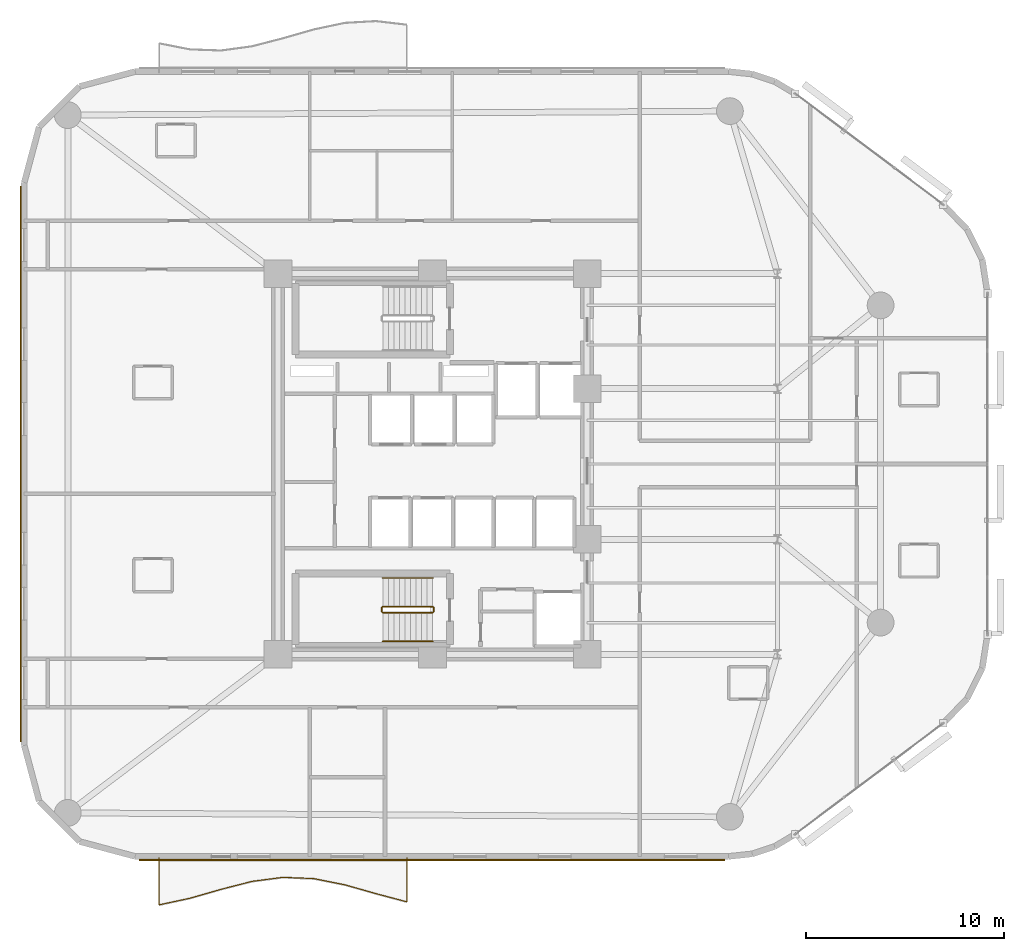
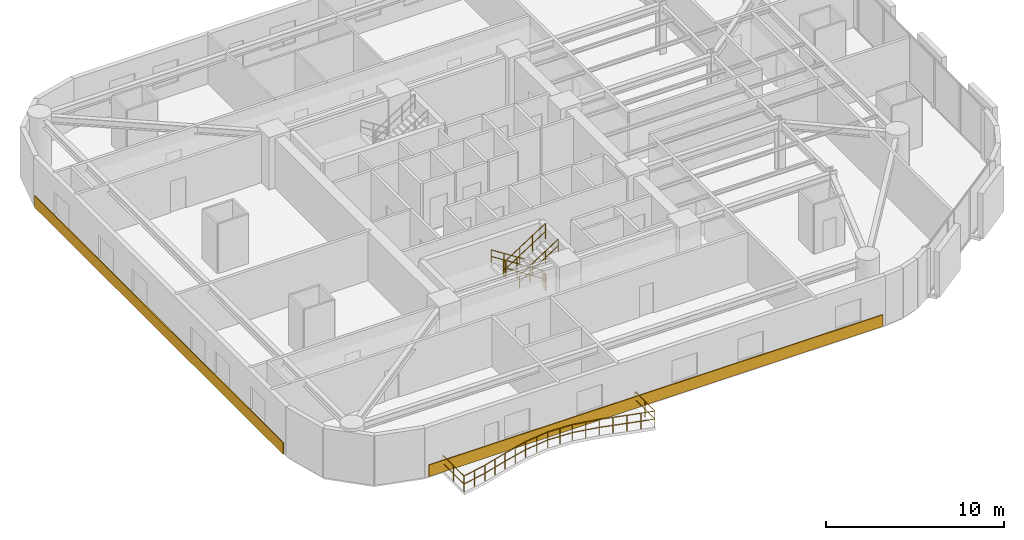
# One storey, part 14 of 16: 7 railings, 2 coverings.
"""IFC4 building model written with IfcOpenShell, lengths in metres."""

import ifcopenshell
import ifcopenshell.guid

model = None  # the IFC model being written
_history = None  # IfcOwnerHistory: only IFC2X3 demands one
_inside = {}  # id of a spatial element -> (the spatial element, [elements in it])
_under = {}  # id of a project, library or spatial element -> (it, [spatial elements below it])
_declared = {}  # id of a project -> (the project, [libraries it declares])
_typed = {}  # id of a type object -> (the type object, [elements of that type])
_made_of = {}  # id of a material, layer set ... -> (it, [elements and type objects made of it])


def new_model(schema):
    """Start an empty IFC model of exactly this schema.

    Asked for "IFC4X3", IfcOpenShell would pick the latest addendum, in which some entities
    have other attributes; the version numbers below select the first issue.
    IFC2X3 requires an IfcOwnerHistory on every rooted entity: one is made here for all.
    """
    global model, _history
    if schema == "IFC4X3":
        model = ifcopenshell.file(schema_version=(4, 3, 0, 0))
    else:
        model = ifcopenshell.file(schema=schema)
    _inside.clear()
    _under.clear()
    _declared.clear()
    _typed.clear()
    _made_of.clear()
    _history = None
    if model.schema == "IFC2X3":
        org = make("IfcOrganization", Name="unknown")
        user = make(
            "IfcPersonAndOrganization",
            ThePerson=make("IfcPerson", FamilyName="unknown"),
            TheOrganization=org,
        )
        app = make(
            "IfcApplication",
            ApplicationDeveloper=org,
            Version="unknown",
            ApplicationFullName="unknown",
            ApplicationIdentifier="unknown",
        )
        _history = make(
            "IfcOwnerHistory",
            OwningUser=user,
            OwningApplication=app,
            ChangeAction="ADDED",
            CreationDate=0,
        )
    return model


def make(cls, **values):
    """One entity of the class cls with the attributes given. An attribute that is None is left unset."""
    return model.create_entity(
        cls, **{name: value for name, value in values.items() if value is not None}
    )


def rooted(cls, **values):
    """An entity with a GlobalId (a new one), such as an element, a storey or a relation."""
    return make(cls, GlobalId=ifcopenshell.guid.new(), OwnerHistory=_history, **values)


def si_unit(unit_type, name, prefix=None):
    """IfcSIUnit, for example si_unit("LENGTHUNIT", "METRE", prefix="MILLI")."""
    return make("IfcSIUnit", UnitType=unit_type, Prefix=prefix, Name=name)


def assignment(units):
    """IfcUnitAssignment: the units of a project."""
    return None if units is None else make("IfcUnitAssignment", Units=units)


def point(xyz):
    """IfcCartesianPoint."""
    return None if xyz is None else make("IfcCartesianPoint", Coordinates=xyz)


def direction(xyz):
    """IfcDirection."""
    return None if xyz is None else make("IfcDirection", DirectionRatios=xyz)


def frame(location, z_axis=None, x_axis=None):
    """IfcAxis2Placement3D, a coordinate frame: its origin and axes. An axis left out is left unset."""
    return make(
        "IfcAxis2Placement3D",
        Location=point(location),
        Axis=direction(z_axis),
        RefDirection=direction(x_axis),
    )


def frame_2d(location, x_axis=None):
    """IfcAxis2Placement2D, a coordinate frame in the plane: its origin and x axis."""
    return make(
        "IfcAxis2Placement2D", Location=point(location), RefDirection=direction(x_axis)
    )


def origin():
    """The frame at (0, 0, 0) with its axes left unset."""
    return frame((0.0, 0.0, 0.0))


def origin_2d():
    """The frame at (0, 0) in the plane with its x axis left unset."""
    return frame_2d((0.0, 0.0))


def place(relative_to, where):
    """IfcLocalPlacement: puts the frame where relative to a parent placement (None: the world)."""
    return make(
        "IfcLocalPlacement", PlacementRelTo=relative_to, RelativePlacement=where
    )


def context(
    kind, dimensions, precision=None, world=None, true_north=None, identifier=None
):
    """IfcGeometricRepresentationContext, for example the 3D "Model" context."""
    return make(
        "IfcGeometricRepresentationContext",
        ContextIdentifier=identifier,
        ContextType=kind,
        CoordinateSpaceDimension=dimensions,
        Precision=precision,
        WorldCoordinateSystem=world,
        TrueNorth=true_north,
    )


def subcontext(parent, identifier, kind, view, scale=None):
    """IfcGeometricRepresentationSubContext, for example "Body" below "Model"."""
    return make(
        "IfcGeometricRepresentationSubContext",
        ContextIdentifier=identifier,
        ContextType=kind,
        ParentContext=parent,
        TargetScale=scale,
        TargetView=view,
    )


def project(units=None, contexts=None):
    """IfcProject with its units and contexts."""
    return rooted(
        "IfcProject",
        Name="project",
        RepresentationContexts=contexts,
        UnitsInContext=assignment(units),
    )


def spatial(cls, under=None, at=None, **own):
    """A site, building, storey or space (cls), placed at a placement, below another one or the project."""
    s = rooted(cls, ObjectPlacement=at, **own)
    if under is not None:
        _under.setdefault(under.id(), (under, []))[1].append(s)
    return s


def profile(cls, at=None, kind="AREA", **sizes):
    """A parametric profile (cls). Its sizes go by their IFC names, for example OverallWidth=200.0."""
    return make(cls, ProfileType=kind, Position=at, **sizes)


def rectangle(**sizes):
    """IfcRectangleProfileDef."""
    return profile("IfcRectangleProfileDef", **sizes)


def circle(**sizes):
    """IfcCircleProfileDef."""
    return profile("IfcCircleProfileDef", **sizes)


def extrude(swept, where, along, depth):
    """IfcExtrudedAreaSolid: the profile swept, set in the frame where, extruded along a direction by depth."""
    return make(
        "IfcExtrudedAreaSolid",
        SweptArea=swept,
        Position=where,
        ExtrudedDirection=direction(along),
        Depth=depth,
    )


def shape(context_of_items, identifier, shape_type, items):
    """IfcShapeRepresentation: the items that make up one representation, for example the "Body"."""
    return make(
        "IfcShapeRepresentation",
        ContextOfItems=context_of_items,
        RepresentationIdentifier=identifier,
        RepresentationType=shape_type,
        Items=items,
    )


def material(Name=None, Category=None):
    """IfcMaterial."""
    return make("IfcMaterial", Name=Name, Category=Category)


def layer(
    of_material, thickness, ventilated=None, Name=None, Category=None, Priority=None
):
    """IfcMaterialLayer: one layer of a wall or slab, of a material (None: an air gap)."""
    return make(
        "IfcMaterialLayer",
        Material=of_material,
        LayerThickness=thickness,
        IsVentilated=ventilated,
        Name=Name,
        Category=Category,
        Priority=Priority,
    )


def layer_set(layers, Name=None):
    """IfcMaterialLayerSet."""
    return make("IfcMaterialLayerSet", MaterialLayers=layers, LayerSetName=Name)


def made_of(thing, what):
    """Note that an element or type object is made of a material, layer set ...; save() writes the relation."""
    if what is not None:
        _made_of.setdefault(what.id(), (what, []))[1].append(thing)
    return thing


def type_object(cls, material=None, **own):
    """A type object (cls), such as IfcWallType, which elements share."""
    return made_of(rooted(cls, **own), material)


def element(
    cls,
    number,
    at=None,
    inside=None,
    cuts=None,
    type_object=None,
    material=None,
    context=None,
    identifier="Body",
    shape_type=None,
    held_by="IfcProductDefinitionShape",
    body=None,
    shapes=None,
    **own,
):
    """One element of the class cls, such as IfcWall. Its Tag is "e" and its number.

    at: its placement. inside: the storey or other place that contains it. cuts: it is an
    opening in that element (IfcRelVoidsElement). A single representation is given by context,
    identifier, shape_type and body (its items); several are given by shapes. held_by: the class
    of the entity that holds the representations. save() writes the other relations.
    """
    e = rooted(cls, Tag="e%d" % number, ObjectPlacement=at, **own)
    if body is not None:
        shapes = [shape(context, identifier, shape_type, body)]
    if shapes is not None:
        e.Representation = make(held_by, Representations=shapes)
    if inside is not None:
        _inside.setdefault(inside.id(), (inside, []))[1].append(e)
    if cuts is not None:
        rooted(
            "IfcRelVoidsElement", RelatingBuildingElement=cuts, RelatedOpeningElement=e
        )
    if type_object is not None:
        _typed.setdefault(type_object.id(), (type_object, []))[1].append(e)
    return made_of(e, material)


def aggregate(whole, parts):
    """IfcRelAggregates: a whole, such as a stair, and the parts it consists of."""
    return rooted("IfcRelAggregates", RelatingObject=whole, RelatedObjects=parts)


def save(model, path):
    """Write the relations noted so far, then the file.

    IfcRelAggregates (storeys below a building ...), IfcRelContainedInSpatialStructure (elements
    in a storey), IfcRelDefinesByType, IfcRelAssociatesMaterial and IfcRelDeclares: one each for
    every whole, place, type object, material and project.
    """
    for whole, parts in _under.values():
        aggregate(whole, parts)
    for where, things in _inside.values():
        rooted(
            "IfcRelContainedInSpatialStructure",
            RelatedElements=things,
            RelatingStructure=where,
        )
    for kind, things in _typed.values():
        rooted("IfcRelDefinesByType", RelatedObjects=things, RelatingType=kind)
    for what, things in _made_of.values():
        rooted("IfcRelAssociatesMaterial", RelatedObjects=things, RelatingMaterial=what)
    for by, libraries in _declared.values():
        rooted("IfcRelDeclares", RelatingContext=by, RelatedDefinitions=libraries)
    model.write(path)


model = new_model("IFC4")

# Units and contexts
model_context = context("Model", 3, precision=1e-05, world=origin(), true_north=direction((0.0, 1.0)))
body_context = subcontext(model_context, "Body", "Model", "MODEL_VIEW")
ifc_project = project(units=[si_unit("LENGTHUNIT", "METRE"), si_unit("AREAUNIT", "SQUARE_METRE"), si_unit("VOLUMEUNIT", "CUBIC_METRE"), si_unit("PLANEANGLEUNIT", "RADIAN"), si_unit("MASSUNIT", "GRAM", prefix="KILO")], contexts=[model_context])

# Site, building, storey
site_placement = place(None, origin())
site = spatial("IfcSite", under=ifc_project, at=site_placement, CompositionType="ELEMENT")
building_placement = place(site_placement, origin())
building = spatial("IfcBuilding", under=site, at=building_placement, Name="An Khanh Terracotta Commons", CompositionType="ELEMENT")
storey_placement = place(building_placement, frame((0.0, 0.0, 100.699951171875)))
storey = spatial("IfcBuildingStorey", under=building, at=storey_placement, Name="L26", CompositionType="ELEMENT", Elevation=100.699951171875)

# Coverings
ifc_material_1 = material(Name="Fired Terracotta Rainscreen Cladding", Category="masonry")
ifc_layer = layer(ifc_material_1, 0.06005859375, Name="Fired Terracotta Rainscreen Cladding")
ifc_layer_set = layer_set([ifc_layer], Name="Fired Terracotta Rainscreen Cladding")
covering_type = type_object("IfcCoveringType", Name="COV-SPANDREL-TERRA", PredefinedType="CLADDING", material=ifc_layer_set)
covering_1_placement = place(storey_placement, frame((29.365966796875, 4.02001953125, 0.02001953125), z_axis=(0.0, 0.0, 1.0), x_axis=(1.0, 0.0, 0.0)))
element("IfcCovering", 1, at=covering_1_placement, inside=storey, type_object=covering_type, Name="L26 Terracotta Spandrel Cladding 4", PredefinedType="CLADDING", context=body_context, shape_type="SweptSolid", body=[
    extrude(rectangle(XDim=29.532958984375, YDim=0.06005859375, at=origin_2d()), origin(), (0.0, 0.0, 1.0), 0.800048828125),
])
covering_2_placement = place(storey_placement, frame((8.6201171875, 24.0, 0.02001953125), z_axis=(0.0, 0.0, 1.0), x_axis=(0.0, -1.0, 0.0)))
element("IfcCovering", 2, at=covering_2_placement, inside=storey, type_object=covering_type, Name="L26 Terracotta Spandrel Cladding 24", PredefinedType="CLADDING", context=body_context, shape_type="SweptSolid", body=[
    extrude(rectangle(XDim=28.0, YDim=0.06005859375, at=origin_2d()), origin(), (0.0, 0.0, 1.0), 0.800048828125),
])

# Railings
ifc_material_2 = material(Name="Brushed Stainless Steel 316", Category="steel")
railing_type_1 = type_object("IfcRailingType", Name="RAIL-BALUSTRADE-1100", PredefinedType="BALUSTRADE", material=ifc_material_2)
railing_1_placement = place(storey_placement, frame((15.60009765625, 4.139892578125, 0.0)))
element("IfcRailing", 3, at=railing_1_placement, inside=storey, type_object=railing_type_1, Name="L26 S Wave Balcony Guard Balustrade", PredefinedType="BALUSTRADE", context=body_context, shape_type="SweptSolid", body=[
    extrude(circle(Radius=0.02392578125, at=origin_2d()), frame((0.0, 0.0, 1.076171875), z_axis=(0.0, -1.0, 0.0), x_axis=(1.0, 0.0, 0.0)), (0.0, 0.0, 1.0), 2.3798828125),
    extrude(circle(Radius=0.02392578125, at=origin_2d()), frame((0.0, 0.0, 0.52587890625), z_axis=(0.0, -1.0, 0.0), x_axis=(1.0, 0.0, 0.0)), (0.0, 0.0, 1.0), 2.3798828125),
    extrude(circle(Radius=0.02392578125, at=origin_2d()), frame((0.0, -2.3798828125, 1.076171875), z_axis=(0.977797943615, 0.209549949803, 0.0), x_axis=(-0.209549949803, 0.977797943615, 0.0)), (0.0, 0.0, 1.0), 1.598388671875),
    extrude(circle(Radius=0.02392578125, at=origin_2d()), frame((0.0, -2.3798828125, 0.52587890625), z_axis=(0.977797943615, 0.209549949803, 0.0), x_axis=(-0.209549949803, 0.977797943615, 0.0)), (0.0, 0.0, 1.0), 1.598388671875),
    extrude(circle(Radius=0.02392578125, at=origin_2d()), frame((1.56298828125, -2.044921875, 1.076171875), z_axis=(0.961086255424, 0.27624845635, 0.0), x_axis=(-0.27624845635, 0.961086255424, 0.0)), (0.0, 0.0, 1.0), 1.625244140625),
    extrude(circle(Radius=0.02392578125, at=origin_2d()), frame((1.56298828125, -2.044921875, 0.52587890625), z_axis=(0.961086255424, 0.27624845635, 0.0), x_axis=(-0.27624845635, 0.961086255424, 0.0)), (0.0, 0.0, 1.0), 1.625244140625),
    extrude(circle(Radius=0.02392578125, at=origin_2d()), frame((3.125, -1.595947265625, 1.076171875), z_axis=(0.968610642135, 0.248582831151, 0.0), x_axis=(-0.248582831151, 0.968610642135, 0.0)), (0.0, 0.0, 1.0), 1.613525390625),
    extrude(circle(Radius=0.02392578125, at=origin_2d()), frame((3.125, -1.595947265625, 0.52587890625), z_axis=(0.968610642135, 0.248582831151, 0.0), x_axis=(-0.248582831151, 0.968610642135, 0.0)), (0.0, 0.0, 1.0), 1.613525390625),
    extrude(circle(Radius=0.02392578125, at=origin_2d()), frame((4.68798828125, -1.19482421875, 1.076171875), z_axis=(0.991511168272, 0.13002154895, 0.0), x_axis=(-0.13002154895, 0.991511168272, 0.0)), (0.0, 0.0, 1.0), 1.575439453125),
    extrude(circle(Radius=0.02392578125, at=origin_2d()), frame((4.68798828125, -1.19482421875, 0.52587890625), z_axis=(0.991511168272, 0.13002154895, 0.0), x_axis=(-0.13002154895, 0.991511168272, 0.0)), (0.0, 0.0, 1.0), 1.575439453125),
    extrude(circle(Radius=0.02392578125, at=origin_2d()), frame((6.25, -0.989990234375, 1.076171875), z_axis=(0.999137934886, -0.041513697388, 0.0), x_axis=(0.041513697388, 0.999137934886, 0.0)), (0.0, 0.0, 1.0), 1.564453125),
    extrude(circle(Radius=0.02392578125, at=origin_2d()), frame((6.25, -0.989990234375, 0.52587890625), z_axis=(0.999137934886, -0.041513697388, 0.0), x_axis=(0.041513697388, 0.999137934886, 0.0)), (0.0, 0.0, 1.0), 1.564453125),
    extrude(circle(Radius=0.02392578125, at=origin_2d()), frame((7.81298828125, -1.054931640625, 1.076171875), z_axis=(0.980745409162, -0.195290661343, 0.0), x_axis=(0.195290661343, 0.980745409162, 0.0)), (0.0, 0.0, 1.0), 1.5927734375),
    extrude(circle(Radius=0.02392578125, at=origin_2d()), frame((7.81298828125, -1.054931640625, 0.52587890625), z_axis=(0.980745409162, -0.195290661343, 0.0), x_axis=(0.195290661343, 0.980745409162, 0.0)), (0.0, 0.0, 1.0), 1.5927734375),
    extrude(circle(Radius=0.02392578125, at=origin_2d()), frame((9.375, -1.365966796875, 1.076171875), z_axis=(0.961964976531, -0.273172809643, 0.0), x_axis=(0.273172809643, 0.961964976531, 0.0)), (0.0, 0.0, 1.0), 1.624755859375),
    extrude(circle(Radius=0.02392578125, at=origin_2d()), frame((9.375, -1.365966796875, 0.52587890625), z_axis=(0.961964976531, -0.273172809643, 0.0), x_axis=(0.273172809643, 0.961964976531, 0.0)), (0.0, 0.0, 1.0), 1.624755859375),
    extrude(circle(Radius=0.02392578125, at=origin_2d()), frame((10.93798828125, -1.809814453125, 1.076171875), z_axis=(0.966465212691, -0.256797571362, 0.0), x_axis=(0.256797571362, 0.966465212691, 0.0)), (0.0, 0.0, 1.0), 1.6162109375),
    extrude(circle(Radius=0.02392578125, at=origin_2d()), frame((10.93798828125, -1.809814453125, 0.52587890625), z_axis=(0.966465212691, -0.256797571362, 0.0), x_axis=(0.256797571362, 0.966465212691, 0.0)), (0.0, 0.0, 1.0), 1.6162109375),
    extrude(circle(Radius=0.02392578125, at=origin_2d()), frame((12.5, -2.224853515625, 1.076171875), z_axis=(0.0, 1.0, 0.0), x_axis=(-1.0, 0.0, 0.0)), (0.0, 0.0, 1.0), 2.224853515625),
    extrude(circle(Radius=0.02392578125, at=origin_2d()), frame((12.5, -2.224853515625, 0.52587890625), z_axis=(0.0, 1.0, 0.0), x_axis=(-1.0, 0.0, 0.0)), (0.0, 0.0, 1.0), 2.224853515625),
    extrude(circle(Radius=0.02099609375, at=origin_2d()), origin(), (0.0, 0.0, 1.0), 1.052001953125),
    extrude(circle(Radius=0.02099609375, at=origin_2d()), frame((0.0, -1.18994140625, 0.0)), (0.0, 0.0, 1.0), 1.052001953125),
    extrude(circle(Radius=0.02099609375, at=origin_2d()), frame((0.0, -2.3798828125, 0.0)), (0.0, 0.0, 1.0), 1.052001953125),
    extrude(circle(Radius=0.02099609375, at=origin_2d()), frame((0.781494140625, -2.21240234375, 0.0)), (0.0, 0.0, 1.0), 1.052001953125),
    extrude(circle(Radius=0.02099609375, at=origin_2d()), frame((1.56298828125, -2.044921875, 0.0)), (0.0, 0.0, 1.0), 1.052001953125),
    extrude(circle(Radius=0.02099609375, at=origin_2d()), frame((2.343994140625, -1.8203125, 0.0)), (0.0, 0.0, 1.0), 1.052001953125),
    extrude(circle(Radius=0.02099609375, at=origin_2d()), frame((3.125, -1.595947265625, 0.0)), (0.0, 0.0, 1.0), 1.052001953125),
    extrude(circle(Radius=0.02099609375, at=origin_2d()), frame((3.906494140625, -1.3955078125, 0.0)), (0.0, 0.0, 1.0), 1.052001953125),
    extrude(circle(Radius=0.02099609375, at=origin_2d()), frame((4.68798828125, -1.19482421875, 0.0)), (0.0, 0.0, 1.0), 1.052001953125),
    extrude(circle(Radius=0.02099609375, at=origin_2d()), frame((5.468994140625, -1.09228515625, 0.0)), (0.0, 0.0, 1.0), 1.052001953125),
    extrude(circle(Radius=0.02099609375, at=origin_2d()), frame((6.25, -0.989990234375, 0.0)), (0.0, 0.0, 1.0), 1.052001953125),
    extrude(circle(Radius=0.02099609375, at=origin_2d()), frame((7.031494140625, -1.0224609375, 0.0)), (0.0, 0.0, 1.0), 1.052001953125),
    extrude(circle(Radius=0.02099609375, at=origin_2d()), frame((7.81298828125, -1.054931640625, 0.0)), (0.0, 0.0, 1.0), 1.052001953125),
    extrude(circle(Radius=0.02099609375, at=origin_2d()), frame((8.593994140625, -1.21044921875, 0.0)), (0.0, 0.0, 1.0), 1.052001953125),
    extrude(circle(Radius=0.02099609375, at=origin_2d()), frame((9.375, -1.365966796875, 0.0)), (0.0, 0.0, 1.0), 1.052001953125),
    extrude(circle(Radius=0.02099609375, at=origin_2d()), frame((10.156494140625, -1.587890625, 0.0)), (0.0, 0.0, 1.0), 1.052001953125),
    extrude(circle(Radius=0.02099609375, at=origin_2d()), frame((10.93798828125, -1.809814453125, 0.0)), (0.0, 0.0, 1.0), 1.052001953125),
    extrude(circle(Radius=0.02099609375, at=origin_2d()), frame((11.718994140625, -2.017333984375, 0.0)), (0.0, 0.0, 1.0), 1.052001953125),
    extrude(circle(Radius=0.02099609375, at=origin_2d()), frame((12.5, -2.224853515625, 0.0)), (0.0, 0.0, 1.0), 1.052001953125),
    extrude(circle(Radius=0.02099609375, at=origin_2d()), frame((12.5, -1.1123046875, 0.0)), (0.0, 0.0, 1.0), 1.052001953125),
    extrude(circle(Radius=0.02099609375, at=origin_2d()), frame((12.5, 0.0, 0.0)), (0.0, 0.0, 1.0), 1.052001953125),
])
railing_type_2 = type_object("IfcRailingType", Name="RAIL-HANDRAIL-900", PredefinedType="HANDRAIL", material=ifc_material_2)
railing_2_placement = place(storey_placement, frame((29.409912109375, 18.25, 0.179931640625)))
element("IfcRailing", 4, at=railing_2_placement, inside=storey, type_object=railing_type_2, Name="L26 ST-02 stair handrail 1", PredefinedType="HANDRAIL", context=body_context, shape_type="SweptSolid", body=[
    extrude(circle(Radius=0.02392578125, at=origin_2d()), frame((0.0, 0.0, 0.8759765625), z_axis=(-0.841162588446, 0.0, 0.540782303519), x_axis=(0.0, -1.0, 0.0)), (0.0, 0.0, 1.0), 2.995849609375),
    extrude(circle(Radius=0.02392578125, at=origin_2d()), frame((0.0, 0.0, 0.42578125), z_axis=(-0.841162588446, 0.0, 0.540782303519), x_axis=(0.0, -1.0, 0.0)), (0.0, 0.0, 1.0), 2.995849609375),
    extrude(circle(Radius=0.02099609375, at=origin_2d()), origin(), (0.0, 0.0, 1.0), 0.851806640625),
    extrude(circle(Radius=0.02099609375, at=origin_2d()), frame((-0.840087890625, 0.0, 0.5400390625)), (0.0, 0.0, 1.0), 0.851806640625),
    extrude(circle(Radius=0.02099609375, at=origin_2d()), frame((-1.679931640625, 0.0, 1.080078125)), (0.0, 0.0, 1.0), 0.851806640625),
    extrude(circle(Radius=0.02099609375, at=origin_2d()), frame((-2.52001953125, 0.0, 1.6201171875)), (0.0, 0.0, 1.0), 0.851806640625),
])
railing_3_placement = place(storey_placement, frame((26.889892578125, 15.050048828125, 1.97998046875)))
element("IfcRailing", 5, at=railing_3_placement, inside=storey, type_object=railing_type_2, Name="L26 ST-02 stair handrail 2", PredefinedType="HANDRAIL", context=body_context, shape_type="SweptSolid", body=[
    extrude(circle(Radius=0.02392578125, at=origin_2d()), frame((0.0, 0.0, 0.8759765625), z_axis=(0.841162588446, 0.0, 0.540782303519), x_axis=(0.0, 1.0, 0.0)), (0.0, 0.0, 1.0), 2.995849609375),
    extrude(circle(Radius=0.02392578125, at=origin_2d()), frame((0.0, 0.0, 0.42578125), z_axis=(0.841162588446, 0.0, 0.540782303519), x_axis=(0.0, 1.0, 0.0)), (0.0, 0.0, 1.0), 2.995849609375),
    extrude(circle(Radius=0.02099609375, at=origin_2d()), origin(), (0.0, 0.0, 1.0), 0.851806640625),
    extrude(circle(Radius=0.02099609375, at=origin_2d()), frame((0.840087890625, 0.0, 0.5400390625)), (0.0, 0.0, 1.0), 0.851806640625),
    extrude(circle(Radius=0.02099609375, at=origin_2d()), frame((1.679931640625, 0.0, 1.080078125)), (0.0, 0.0, 1.0), 0.851806640625),
    extrude(circle(Radius=0.02099609375, at=origin_2d()), frame((2.52001953125, 0.0, 1.6201171875)), (0.0, 0.0, 1.0), 0.851806640625),
])
ifc_material_3 = material(Name="Powder-Coated Steel S355J2", Category="steel")
railing_type_3 = type_object("IfcRailingType", Name="RAIL-STAIR-GUARD-1100", PredefinedType="BALUSTRADE", material=ifc_material_3)
railing_4_placement = place(storey_placement, frame((29.409912109375, 16.800048828125, 0.179931640625)))
element("IfcRailing", 6, at=railing_4_placement, inside=storey, type_object=railing_type_3, Name="L26 ST-02 stair guard 1", PredefinedType="BALUSTRADE", context=body_context, shape_type="SweptSolid", body=[
    extrude(circle(Radius=0.02392578125, at=origin_2d()), frame((0.0, 0.0, 1.076171875), z_axis=(-0.841162588446, 0.0, 0.540782303519), x_axis=(0.0, -1.0, 0.0)), (0.0, 0.0, 1.0), 2.995849609375),
    extrude(circle(Radius=0.02392578125, at=origin_2d()), frame((0.0, 0.0, 0.52587890625), z_axis=(-0.841162588446, 0.0, 0.540782303519), x_axis=(0.0, -1.0, 0.0)), (0.0, 0.0, 1.0), 2.995849609375),
    extrude(circle(Radius=0.02099609375, at=origin_2d()), origin(), (0.0, 0.0, 1.0), 1.052001953125),
    extrude(circle(Radius=0.02099609375, at=origin_2d()), frame((-0.840087890625, 0.0, 0.5400390625)), (0.0, 0.0, 1.0), 1.052001953125),
    extrude(circle(Radius=0.02099609375, at=origin_2d()), frame((-1.679931640625, 0.0, 1.080078125)), (0.0, 0.0, 1.0), 1.052001953125),
    extrude(circle(Radius=0.02099609375, at=origin_2d()), frame((-2.52001953125, 0.0, 1.6201171875)), (0.0, 0.0, 1.0), 1.052001953125),
])
railing_5_placement = place(storey_placement, frame((26.840087890625, 16.75, 1.800048828125)))
element("IfcRailing", 7, at=railing_5_placement, inside=storey, type_object=railing_type_3, Name="L26 ST-02 stair guard 2", PredefinedType="BALUSTRADE", context=body_context, shape_type="SweptSolid", body=[
    extrude(circle(Radius=0.02392578125, at=origin_2d()), frame((0.0, 0.0, 1.076171875), z_axis=(0.0, -1.0, 0.0), x_axis=(1.0, 0.0, 0.0)), (0.0, 0.0, 1.0), 0.199951171875),
    extrude(circle(Radius=0.02392578125, at=origin_2d()), frame((0.0, 0.0, 0.52587890625), z_axis=(0.0, -1.0, 0.0), x_axis=(1.0, 0.0, 0.0)), (0.0, 0.0, 1.0), 0.199951171875),
    extrude(circle(Radius=0.02099609375, at=origin_2d()), origin(), (0.0, 0.0, 1.0), 1.052001953125),
    extrude(circle(Radius=0.02099609375, at=origin_2d()), frame((0.0, -0.199951171875, 0.0)), (0.0, 0.0, 1.0), 1.052001953125),
])
railing_6_placement = place(storey_placement, frame((26.889892578125, 16.5, 1.97998046875)))
element("IfcRailing", 8, at=railing_6_placement, inside=storey, type_object=railing_type_3, Name="L26 ST-02 stair guard 3", PredefinedType="BALUSTRADE", context=body_context, shape_type="SweptSolid", body=[
    extrude(circle(Radius=0.02392578125, at=origin_2d()), frame((0.0, 0.0, 1.076171875), z_axis=(0.841162588446, 0.0, 0.540782303519), x_axis=(0.0, 1.0, 0.0)), (0.0, 0.0, 1.0), 2.995849609375),
    extrude(circle(Radius=0.02392578125, at=origin_2d()), frame((0.0, 0.0, 0.52587890625), z_axis=(0.841162588446, 0.0, 0.540782303519), x_axis=(0.0, 1.0, 0.0)), (0.0, 0.0, 1.0), 2.995849609375),
    extrude(circle(Radius=0.02099609375, at=origin_2d()), origin(), (0.0, 0.0, 1.0), 1.052001953125),
    extrude(circle(Radius=0.02099609375, at=origin_2d()), frame((0.840087890625, 0.0, 0.5400390625)), (0.0, 0.0, 1.0), 1.052001953125),
    extrude(circle(Radius=0.02099609375, at=origin_2d()), frame((1.679931640625, 0.0, 1.080078125)), (0.0, 0.0, 1.0), 1.052001953125),
    extrude(circle(Radius=0.02099609375, at=origin_2d()), frame((2.52001953125, 0.0, 1.6201171875)), (0.0, 0.0, 1.0), 1.052001953125),
])
railing_7_placement = place(storey_placement, frame((29.4599609375, 16.75, 0.0)))
element("IfcRailing", 9, at=railing_7_placement, inside=storey, type_object=railing_type_3, Name="L26 ST-02 stair guard 4", PredefinedType="BALUSTRADE", context=body_context, shape_type="SweptSolid", body=[
    extrude(circle(Radius=0.02392578125, at=origin_2d()), frame((0.0, 0.0, 1.076171875), z_axis=(0.0, -1.0, 0.0), x_axis=(1.0, 0.0, 0.0)), (0.0, 0.0, 1.0), 0.199951171875),
    extrude(circle(Radius=0.02392578125, at=origin_2d()), frame((0.0, 0.0, 0.52587890625), z_axis=(0.0, -1.0, 0.0), x_axis=(1.0, 0.0, 0.0)), (0.0, 0.0, 1.0), 0.199951171875),
    extrude(circle(Radius=0.02099609375, at=origin_2d()), origin(), (0.0, 0.0, 1.0), 1.052001953125),
    extrude(circle(Radius=0.02099609375, at=origin_2d()), frame((0.0, -0.199951171875, 0.0)), (0.0, 0.0, 1.0), 1.052001953125),
])

save(model, "model.ifc")
